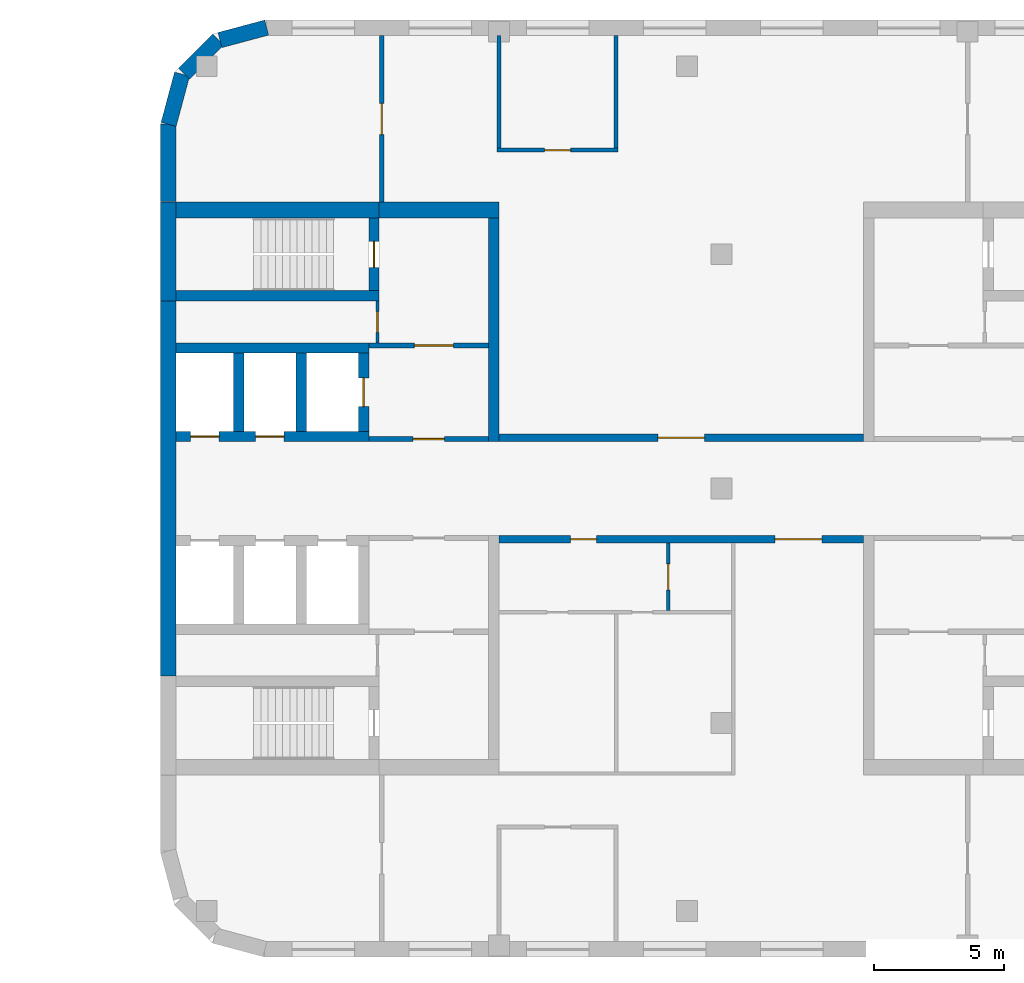
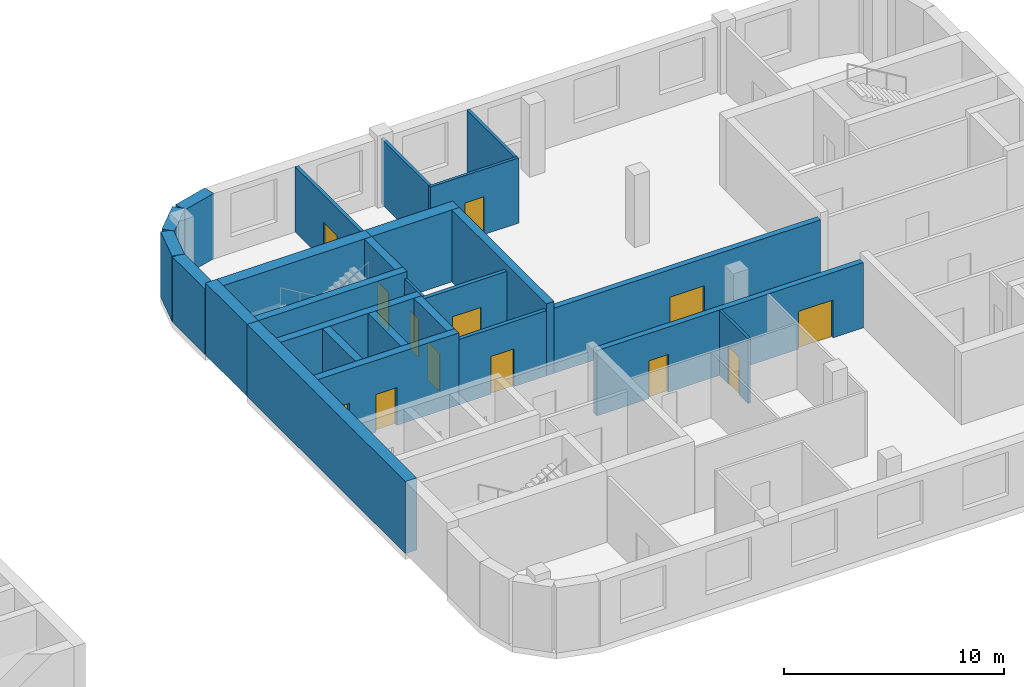
# One storey, part 8 of 16: 26 walls, 13 doors, 13 openings.
"""IFC4 building model written with IfcOpenShell, lengths in metres."""

from ifc_helpers import new_model, si_unit, direction, frame, frame_2d, origin, place, context, subcontext, project, spatial, rectangle, extrude, material, layer, layer_set, type_object, element, fill, save


model = new_model("IFC4")

# Units and contexts
model_context = context("Model", 3, precision=1e-05, world=origin(), true_north=direction((0.0, 1.0)))
body_context = subcontext(model_context, "Body", "Model", "MODEL_VIEW")
ifc_project = project(units=[si_unit("LENGTHUNIT", "METRE"), si_unit("AREAUNIT", "SQUARE_METRE"), si_unit("VOLUMEUNIT", "CUBIC_METRE"), si_unit("PLANEANGLEUNIT", "RADIAN"), si_unit("MASSUNIT", "GRAM", prefix="KILO")], contexts=[model_context])

# Site, building, storey
site_placement = place(None, origin())
site = spatial("IfcSite", under=ifc_project, at=site_placement, CompositionType="ELEMENT")
building_placement = place(site_placement, origin())
building = spatial("IfcBuilding", under=site, at=building_placement, Name="Skarvind Civic Tower", CompositionType="ELEMENT")
storey_placement = place(building_placement, frame((0.0, 0.0, 43.5)))
storey = spatial("IfcBuildingStorey", under=building, at=storey_placement, Name="L09", CompositionType="ELEMENT", Elevation=43.5)

# Wall, opening, door
ifc_material_1 = material(Name="Acoustic gypsum board on steel studs", Category="steel")
ifc_layer_1 = layer(ifc_material_1, 0.175048828125)
ifc_layer_set_1 = layer_set([ifc_layer_1], Name="ACOUSTIC MEETING-ROOM PARTITION 175")
wall_type_1 = type_object("IfcWallType", Name="ACOUSTIC MEETING-ROOM PARTITION 175", PredefinedType="PARTITIONING", material=ifc_layer_set_1)
wall_1_placement = place(storey_placement, frame((135.5, 145.39990234375, 0.0), z_axis=(0.0, 0.0, 1.0), x_axis=(0.0, -1.0, 0.0)))
wall_1 = element("IfcWall", 1, at=wall_1_placement, inside=storey, type_object=wall_type_1, Name="Partition 09.002", PredefinedType="PARTITIONING", context=body_context, shape_type="SweptSolid", body=[
    extrude(rectangle(XDim=6.39990234375, YDim=0.175048828125, at=frame_2d((3.199951171875, 0.0))), origin(), (0.0, 0.0, 1.0), 3.625),
])
opening_1_placement = place(wall_1_placement, frame((2.60009765625, 0.0, 0.0)))
opening_1 = element("IfcOpeningElement", 2, at=opening_1_placement, cuts=wall_1, Name="Opening L09-D103", PredefinedType="OPENING", context=body_context, shape_type="SweptSolid", body=[
    extrude(rectangle(XDim=1.199951171875, YDim=2.10009765625, at=frame_2d((0.60009765625, 1.050048828125))), frame((0.0, 0.097412109375, 0.0), z_axis=(0.0, -1.0, 0.0), x_axis=(1.0, 0.0, 0.0)), (0.0, 0.0, 1.0), 0.195068359375),
])
ifc_material_2 = material(Name="Timber door leaf", Category="wood")
door_type_1 = type_object("IfcDoorType", Name="DOOR 1200X2100 DOUBLE TIMBER", OperationType="NOTDEFINED", PredefinedType="DOOR", material=ifc_material_2)
door_1_placement = place(opening_1_placement, origin())
door_1 = element("IfcDoor", 3, at=door_1_placement, inside=storey, type_object=door_type_1, Name="Door L09-D103", OperationType="DOUBLE_DOOR_SINGLE_SWING", OverallHeight=2.10009765625, OverallWidth=1.199951171875, PredefinedType="DOOR", context=body_context, shape_type="SweptSolid", body=[
    extrude(rectangle(XDim=1.199951171875, YDim=2.10009765625, at=frame_2d((0.60009765625, 1.050048828125))), frame((0.0, 0.02490234375, 0.0), z_axis=(0.0, -1.0, 0.0), x_axis=(1.0, 0.0, 0.0)), (0.0, 0.0, 1.0), 0.050048828125),
])
fill(opening_1, door_1)

ifc_material_3 = material(Name="Fire-rated gypsum board on steel studs", Category="steel")
ifc_layer_2 = layer(ifc_material_3, 0.300048828125)
ifc_layer_set_2 = layer_set([ifc_layer_2], Name="CORRIDOR WALL 300")
wall_type_2 = type_object("IfcWallType", Name="CORRIDOR WALL 300", PredefinedType="PARTITIONING", material=ifc_layer_set_2)
wall_2_placement = place(storey_placement, frame((140.0, 129.949951171875, 0.0), z_axis=(0.0, 0.0, 1.0), x_axis=(1.0, 0.0, 0.0)))
wall_2 = element("IfcWall", 4, at=wall_2_placement, inside=storey, type_object=wall_type_2, Name="Partition 09.007", PredefinedType="PARTITIONING", context=body_context, shape_type="SweptSolid", body=[
    extrude(rectangle(XDim=14.0, YDim=0.300048828125, at=frame_2d((7.0, 0.0))), origin(), (0.0, 0.0, 1.0), 3.625),
])
opening_2_placement = place(wall_2_placement, frame((6.10009765625, 0.0, 0.0)))
opening_2 = element("IfcOpeningElement", 5, at=opening_2_placement, cuts=wall_2, Name="Opening L09-D101", PredefinedType="OPENING", context=body_context, shape_type="SweptSolid", body=[
    extrude(rectangle(XDim=1.800048828125, YDim=2.10009765625, at=frame_2d((0.89990234375, 1.050048828125))), frame((0.0, 0.159912109375, 0.0), z_axis=(0.0, -1.0, 0.0), x_axis=(1.0, 0.0, 0.0)), (0.0, 0.0, 1.0), 0.320068359375),
])
ifc_material_4 = material(Name="Fire-rated timber door leaf", Category="wood")
door_type_2 = type_object("IfcDoorType", Name="FD4 1800x2100", OperationType="NOTDEFINED", PredefinedType="DOOR", material=ifc_material_4)
door_2_placement = place(opening_2_placement, origin())
door_2 = element("IfcDoor", 6, at=door_2_placement, inside=storey, type_object=door_type_2, Name="Door L09-D101", OperationType="DOUBLE_DOOR_SINGLE_SWING", OverallHeight=2.10009765625, OverallWidth=1.800048828125, PredefinedType="DOOR", context=body_context, shape_type="SweptSolid", body=[
    extrude(rectangle(XDim=1.800048828125, YDim=2.10009765625, at=frame_2d((0.89990234375, 1.050048828125))), frame((0.0, 0.02490234375, 0.0), z_axis=(0.0, -1.0, 0.0), x_axis=(1.0, 0.0, 0.0)), (0.0, 0.0, 1.0), 0.050048828125),
])
fill(opening_2, door_2)

# Wall, openings, doors
wall_3_placement = place(storey_placement, frame((154.0, 126.050048828125, 0.0), z_axis=(0.0, 0.0, 1.0), x_axis=(-1.0, 0.0, 0.0)))
wall_3 = element("IfcWall", 7, at=wall_3_placement, inside=storey, type_object=wall_type_2, Name="Partition 09.015", PredefinedType="PARTITIONING", context=body_context, shape_type="SweptSolid", body=[
    extrude(rectangle(XDim=14.0, YDim=0.300048828125, at=frame_2d((7.0, 0.0))), origin(), (0.0, 0.0, 1.0), 3.625),
])
opening_3_placement = place(wall_3_placement, frame((10.25, 0.0, 0.0)))
opening_3 = element("IfcOpeningElement", 8, at=opening_3_placement, cuts=wall_3, Name="Opening L09-D105", PredefinedType="OPENING", context=body_context, shape_type="SweptSolid", body=[
    extrude(rectangle(XDim=1.0, YDim=2.10009765625, at=frame_2d((0.5, 1.050048828125))), frame((0.0, 0.159912109375, 0.0), z_axis=(0.0, -1.0, 0.0), x_axis=(1.0, 0.0, 0.0)), (0.0, 0.0, 1.0), 0.320068359375),
])
opening_4_placement = place(wall_3_placement, frame((1.60009765625, 0.0, 0.0)))
opening_4 = element("IfcOpeningElement", 9, at=opening_4_placement, cuts=wall_3, Name="Opening L09-D109", PredefinedType="OPENING", context=body_context, shape_type="SweptSolid", body=[
    extrude(rectangle(XDim=1.800048828125, YDim=2.10009765625, at=frame_2d((0.89990234375, 1.050048828125))), frame((0.0, 0.159912109375, 0.0), z_axis=(0.0, -1.0, 0.0), x_axis=(1.0, 0.0, 0.0)), (0.0, 0.0, 1.0), 0.320068359375),
])
door_type_3 = type_object("IfcDoorType", Name="FD1 1000x2100", OperationType="NOTDEFINED", PredefinedType="DOOR", material=ifc_material_4)
door_3_placement = place(opening_3_placement, origin())
door_3 = element("IfcDoor", 10, at=door_3_placement, inside=storey, type_object=door_type_3, Name="Door L09-D105", OperationType="SINGLE_SWING_RIGHT", OverallHeight=2.10009765625, OverallWidth=1.0, PredefinedType="DOOR", context=body_context, shape_type="SweptSolid", body=[
    extrude(rectangle(XDim=1.0, YDim=2.10009765625, at=frame_2d((0.5, 1.050048828125))), frame((0.0, 0.02490234375, 0.0), z_axis=(0.0, -1.0, 0.0), x_axis=(1.0, 0.0, 0.0)), (0.0, 0.0, 1.0), 0.050048828125),
])
fill(opening_3, door_3)
door_4_placement = place(opening_4_placement, origin())
door_4 = element("IfcDoor", 11, at=door_4_placement, inside=storey, type_object=door_type_2, Name="Door L09-D109", OperationType="DOUBLE_DOOR_SINGLE_SWING", OverallHeight=2.10009765625, OverallWidth=1.800048828125, PredefinedType="DOOR", context=body_context, shape_type="SweptSolid", body=[
    extrude(rectangle(XDim=1.800048828125, YDim=2.10009765625, at=frame_2d((0.89990234375, 1.050048828125))), frame((0.0, 0.02490234375, 0.0), z_axis=(0.0, -1.0, 0.0), x_axis=(1.0, 0.0, 0.0)), (0.0, 0.0, 1.0), 0.050048828125),
])
fill(opening_4, door_4)

# Wall, opening, door
ifc_material_5 = material(Name="Fire-rated masonry partition", Category="masonry")
ifc_layer_3 = layer(ifc_material_5, 0.199951171875)
ifc_layer_set_3 = layer_set([ifc_layer_3], Name="Core enclosure wall 200")
wall_type_3 = type_object("IfcWallType", Name="Core enclosure wall 200", PredefinedType="PARTITIONING", material=ifc_layer_set_3)
wall_4_placement = place(storey_placement, frame((135.0, 129.89990234375, 0.0), z_axis=(0.0, 0.0, 1.0), x_axis=(1.0, 0.0, 0.0)))
wall_4 = element("IfcWall", 12, at=wall_4_placement, inside=storey, type_object=wall_type_3, Name="Core wall CA", PredefinedType="PARTITIONING", context=body_context, shape_type="SweptSolid", body=[
    extrude(rectangle(XDim=4.60009765625, YDim=0.199951171875, at=frame_2d((2.300048828125, 0.0))), origin(), (0.0, 0.0, 1.0), 3.625),
])
opening_5_placement = place(wall_4_placement, frame((1.699951171875, 0.0, 0.0)))
opening_5 = element("IfcOpeningElement", 13, at=opening_5_placement, cuts=wall_4, Name="Opening D-L09-CA-06", PredefinedType="OPENING", context=body_context, shape_type="SweptSolid", body=[
    extrude(rectangle(XDim=1.199951171875, YDim=2.10009765625, at=frame_2d((0.60009765625, 1.050048828125))), frame((0.0, 0.10986328125, 0.0), z_axis=(0.0, -1.0, 0.0), x_axis=(1.0, 0.0, 0.0)), (0.0, 0.0, 1.0), 0.219970703125),
])
ifc_material_6 = material(Name="Fire-rated steel door", Category="steel")
door_type_4 = type_object("IfcDoorType", Name="Core lobby door 1200", OperationType="NOTDEFINED", PredefinedType="DOOR", material=ifc_material_6)
door_5_placement = place(opening_5_placement, origin())
door_5 = element("IfcDoor", 14, at=door_5_placement, inside=storey, type_object=door_type_4, Name="Fire door", OperationType="DOUBLE_DOOR_SINGLE_SWING", OverallHeight=2.10009765625, OverallWidth=1.199951171875, PredefinedType="DOOR", context=body_context, shape_type="SweptSolid", body=[
    extrude(rectangle(XDim=1.199951171875, YDim=2.10009765625, at=frame_2d((0.60009765625, 1.050048828125))), frame((0.0, 0.02490234375, 0.0), z_axis=(0.0, -1.0, 0.0), x_axis=(1.0, 0.0, 0.0)), (0.0, 0.0, 1.0), 0.050048828125),
])
fill(opening_5, door_5)

wall_5_placement = place(storey_placement, frame((135.0, 133.5, 0.0), z_axis=(0.0, 0.0, 1.0), x_axis=(1.0, 0.0, 0.0)))
wall_5 = element("IfcWall", 15, at=wall_5_placement, inside=storey, type_object=wall_type_3, Name="Core wall CA", PredefinedType="PARTITIONING", context=body_context, shape_type="SweptSolid", body=[
    extrude(rectangle(XDim=4.60009765625, YDim=0.199951171875, at=frame_2d((2.300048828125, 0.0))), origin(), (0.0, 0.0, 1.0), 3.625),
])
opening_6_placement = place(wall_5_placement, frame((1.75, 0.0, 0.0)))
opening_6 = element("IfcOpeningElement", 16, at=opening_6_placement, cuts=wall_5, Name="Opening D-L09-CA-07", PredefinedType="OPENING", context=body_context, shape_type="SweptSolid", body=[
    extrude(rectangle(XDim=1.5, YDim=2.10009765625, at=frame_2d((0.75, 1.050048828125))), frame((0.0, 0.10986328125, 0.0), z_axis=(0.0, -1.0, 0.0), x_axis=(1.0, 0.0, 0.0)), (0.0, 0.0, 1.0), 0.219970703125),
])
door_type_5 = type_object("IfcDoorType", Name="Fire door 1500", OperationType="NOTDEFINED", PredefinedType="DOOR", material=ifc_material_6)
door_6_placement = place(opening_6_placement, origin())
door_6 = element("IfcDoor", 17, at=door_6_placement, inside=storey, type_object=door_type_5, Name="Fire door", OperationType="DOUBLE_DOOR_SINGLE_SWING", OverallHeight=2.10009765625, OverallWidth=1.5, PredefinedType="DOOR", context=body_context, shape_type="SweptSolid", body=[
    extrude(rectangle(XDim=1.5, YDim=2.10009765625, at=frame_2d((0.75, 1.050048828125))), frame((0.0, 0.02490234375, 0.0), z_axis=(0.0, -1.0, 0.0), x_axis=(1.0, 0.0, 0.0)), (0.0, 0.0, 1.0), 0.050048828125),
])
fill(opening_6, door_6)

# Wall
ifc_material_7 = material(Name="Concrete C80", Category="concrete")
ifc_layer_4 = layer(ifc_material_7, 0.39990234375)
ifc_layer_set_4 = layer_set([ifc_layer_4], Name="Core wall 400 C80")
wall_type_4 = type_object("IfcWallType", Name="Core wall 400 C80", PredefinedType="SHEAR", material=ifc_layer_set_4)
wall_6_placement = place(storey_placement, frame((127.60009765625, 135.39990234375, 0.0), z_axis=(0.0, 0.0, 1.0), x_axis=(1.0, 0.0, 0.0)))
element("IfcWall", 18, at=wall_6_placement, inside=storey, type_object=wall_type_4, Name="Core wall CA north stair inner L09", PredefinedType="SHEAR", context=body_context, shape_type="SweptSolid", body=[
    extrude(rectangle(XDim=7.7998046875, YDim=0.39990234375, at=frame_2d((3.89990234375, 0.0))), origin(), (0.0, 0.0, 1.0), 4.0),
])

# Wall, opening, door
wall_7_placement = place(storey_placement, frame((135.199951171875, 135.60009765625, 0.0), z_axis=(0.0, 0.0, 1.0), x_axis=(0.0, 1.0, 0.0)))
wall_7 = element("IfcWall", 19, at=wall_7_placement, inside=storey, type_object=wall_type_4, Name="Core wall CA north stair end L09", PredefinedType="SHEAR", context=body_context, shape_type="SweptSolid", body=[
    extrude(rectangle(XDim=2.7998046875, YDim=0.39990234375, at=frame_2d((1.39990234375, 0.0))), origin(), (0.0, 0.0, 1.0), 4.0),
])
opening_7_placement = place(wall_7_placement, frame((0.89990234375, 0.0, 0.0)))
opening_7 = element("IfcOpeningElement", 20, at=opening_7_placement, cuts=wall_7, Name="Opening D-L09-CA-08", PredefinedType="OPENING", context=body_context, shape_type="SweptSolid", body=[
    extrude(rectangle(XDim=1.0, YDim=2.10009765625, at=frame_2d((0.5, 1.050048828125))), frame((0.0, 0.2099609375, 0.0), z_axis=(0.0, -1.0, 0.0), x_axis=(1.0, 0.0, 0.0)), (0.0, 0.0, 1.0), 0.419921875),
])
door_type_6 = type_object("IfcDoorType", Name="Fire door 1000", OperationType="NOTDEFINED", PredefinedType="DOOR", material=ifc_material_6)
door_7_placement = place(opening_7_placement, origin())
door_7 = element("IfcDoor", 21, at=door_7_placement, inside=storey, type_object=door_type_6, Name="Fire door", OperationType="SINGLE_SWING_LEFT", OverallHeight=2.10009765625, OverallWidth=1.0, PredefinedType="DOOR", context=body_context, shape_type="SweptSolid", body=[
    extrude(rectangle(XDim=1.0, YDim=2.10009765625, at=frame_2d((0.5, 1.050048828125))), frame((0.0, 0.02490234375, 0.0), z_axis=(0.0, -1.0, 0.0), x_axis=(1.0, 0.0, 0.0)), (0.0, 0.0, 1.0), 0.050048828125),
])
fill(opening_7, door_7)

# Wall, openings, doors
wall_8_placement = place(storey_placement, frame((127.60009765625, 130.0, 0.0), z_axis=(0.0, 0.0, 1.0), x_axis=(1.0, 0.0, 0.0)))
wall_8 = element("IfcWall", 22, at=wall_8_placement, inside=storey, type_object=wall_type_4, Name="Core wall CA north lift row front L09", PredefinedType="SHEAR", context=body_context, shape_type="SweptSolid", body=[
    extrude(rectangle(XDim=7.39990234375, YDim=0.39990234375, at=frame_2d((3.699951171875, 0.0))), origin(), (0.0, 0.0, 1.0), 4.0),
])
opening_8_placement = place(wall_8_placement, frame((0.550048828125, 0.0, 0.0)))
opening_8 = element("IfcOpeningElement", 23, at=opening_8_placement, cuts=wall_8, Name="Opening LD11301", PredefinedType="OPENING", context=body_context, shape_type="SweptSolid", body=[
    extrude(rectangle(XDim=1.10009765625, YDim=2.10009765625, at=frame_2d((0.550048828125, 1.050048828125))), frame((0.0, 0.2099609375, 0.0), z_axis=(0.0, -1.0, 0.0), x_axis=(1.0, 0.0, 0.0)), (0.0, 0.0, 1.0), 0.419921875),
])
opening_9_placement = place(wall_8_placement, frame((3.050048828125, 0.0, 0.0)))
opening_9 = element("IfcOpeningElement", 24, at=opening_9_placement, cuts=wall_8, Name="Opening LD11302", PredefinedType="OPENING", context=body_context, shape_type="SweptSolid", body=[
    extrude(rectangle(XDim=1.10009765625, YDim=2.10009765625, at=frame_2d((0.550048828125, 1.050048828125))), frame((0.0, 0.2099609375, 0.0), z_axis=(0.0, -1.0, 0.0), x_axis=(1.0, 0.0, 0.0)), (0.0, 0.0, 1.0), 0.419921875),
])
ifc_material_8 = material(Name="Stainless steel landing door", Category="steel")
door_type_7 = type_object("IfcDoorType", Name="Lift landing door 1100", OperationType="DOUBLE_DOOR_SLIDING", PredefinedType="DOOR", material=ifc_material_8)
door_8_placement = place(opening_8_placement, origin())
door_8 = element("IfcDoor", 25, at=door_8_placement, inside=storey, type_object=door_type_7, Name="Lift landing door", OperationType="DOUBLE_DOOR_SLIDING", OverallHeight=2.10009765625, OverallWidth=1.10009765625, PredefinedType="DOOR", context=body_context, shape_type="SweptSolid", body=[
    extrude(rectangle(XDim=1.10009765625, YDim=2.10009765625, at=frame_2d((0.550048828125, 1.050048828125))), frame((0.0, 0.02490234375, 0.0), z_axis=(0.0, -1.0, 0.0), x_axis=(1.0, 0.0, 0.0)), (0.0, 0.0, 1.0), 0.050048828125),
])
fill(opening_8, door_8)
door_9_placement = place(opening_9_placement, origin())
door_9 = element("IfcDoor", 26, at=door_9_placement, inside=storey, type_object=door_type_7, Name="Lift landing door", OperationType="DOUBLE_DOOR_SLIDING", OverallHeight=2.10009765625, OverallWidth=1.10009765625, PredefinedType="DOOR", context=body_context, shape_type="SweptSolid", body=[
    extrude(rectangle(XDim=1.10009765625, YDim=2.10009765625, at=frame_2d((0.550048828125, 1.050048828125))), frame((0.0, 0.02490234375, 0.0), z_axis=(0.0, -1.0, 0.0), x_axis=(1.0, 0.0, 0.0)), (0.0, 0.0, 1.0), 0.050048828125),
])
fill(opening_9, door_9)

# Walls
wall_9_placement = place(storey_placement, frame((127.60009765625, 133.39990234375, 0.0), z_axis=(0.0, 0.0, 1.0), x_axis=(1.0, 0.0, 0.0)))
element("IfcWall", 27, at=wall_9_placement, inside=storey, type_object=wall_type_4, Name="Core wall CA north lift row back L09", PredefinedType="SHEAR", context=body_context, shape_type="SweptSolid", body=[
    extrude(rectangle(XDim=7.39990234375, YDim=0.39990234375, at=frame_2d((3.699951171875, 0.0))), origin(), (0.0, 0.0, 1.0), 4.0),
])
for number, where, z_axis, x_axis, name in (
    (28, (130.0, 130.199951171875, 0.0), (0.0, 0.0, 1.0), (0.0, 1.0, 0.0), "Core wall CA north lift row division 1 L09"),
    (29, (132.39990234375, 130.199951171875, 0.0), (0.0, 0.0, 1.0), (0.0, 1.0, 0.0), "Core wall CA north lift row division 2 L09"),
):
    element("IfcWall", number, at=place(storey_placement, frame(where, z_axis=z_axis, x_axis=x_axis)), inside=storey, type_object=wall_type_4, Name=name, PredefinedType="SHEAR", context=body_context, shape_type="SweptSolid", body=[
        extrude(rectangle(XDim=3.0, YDim=0.39990234375, at=frame_2d((1.5, 0.0))), origin(), (0.0, 0.0, 1.0), 4.0),
    ])

# Wall, opening, door
wall_10_placement = place(storey_placement, frame((134.800048828125, 130.199951171875, 0.0), z_axis=(0.0, 0.0, 1.0), x_axis=(0.0, 1.0, 0.0)))
wall_10 = element("IfcWall", 30, at=wall_10_placement, inside=storey, type_object=wall_type_4, Name="Core wall CA north lift row division 3 L09", PredefinedType="SHEAR", context=body_context, shape_type="SweptSolid", body=[
    extrude(rectangle(XDim=3.0, YDim=0.39990234375, at=frame_2d((1.5, 0.0))), origin(), (0.0, 0.0, 1.0), 4.0),
])
opening_10_placement = place(wall_10_placement, frame((0.949951171875, 0.0, 0.0)))
opening_10 = element("IfcOpeningElement", 31, at=opening_10_placement, cuts=wall_10, Name="Opening LD11303", PredefinedType="OPENING", context=body_context, shape_type="SweptSolid", body=[
    extrude(rectangle(XDim=1.10009765625, YDim=2.10009765625, at=frame_2d((0.550048828125, 1.050048828125))), frame((0.0, 0.2099609375, 0.0), z_axis=(0.0, -1.0, 0.0), x_axis=(1.0, 0.0, 0.0)), (0.0, 0.0, 1.0), 0.419921875),
])
door_10_placement = place(opening_10_placement, origin())
door_10 = element("IfcDoor", 32, at=door_10_placement, inside=storey, type_object=door_type_7, Name="Lift landing door", OperationType="DOUBLE_DOOR_SLIDING", OverallHeight=2.10009765625, OverallWidth=1.10009765625, PredefinedType="DOOR", context=body_context, shape_type="SweptSolid", body=[
    extrude(rectangle(XDim=1.10009765625, YDim=2.10009765625, at=frame_2d((0.550048828125, 1.050048828125))), frame((0.0, 0.02490234375, 0.0), z_axis=(0.0, -1.0, 0.0), x_axis=(1.0, 0.0, 0.0)), (0.0, 0.0, 1.0), 0.050048828125),
])
fill(opening_10, door_10)

# Walls
wall_11_placement = place(storey_placement, frame((139.800048828125, 129.800048828125, 0.0), z_axis=(0.0, 0.0, 1.0), x_axis=(0.0, 1.0, 0.0)))
element("IfcWall", 33, at=wall_11_placement, inside=storey, type_object=wall_type_4, Name="Core wall CA north inner face L09", PredefinedType="SHEAR", context=body_context, shape_type="SweptSolid", body=[
    extrude(rectangle(XDim=8.599853515625, YDim=0.39990234375, at=frame_2d((4.2998046875, 0.0))), origin(), (0.0, 0.0, 1.0), 4.0),
])
ifc_layer_5 = layer(ifc_material_7, 0.60009765625)
ifc_layer_set_5 = layer_set([ifc_layer_5], Name="Core wall 600 C80")
wall_type_5 = type_object("IfcWallType", Name="Core wall 600 C80", PredefinedType="SHEAR", material=ifc_layer_set_5)
wall_12_placement = place(storey_placement, frame((127.300048828125, 120.800048828125, 0.0), z_axis=(0.0, 0.0, 1.0), x_axis=(0.0, 1.0, 0.0)))
element("IfcWall", 34, at=wall_12_placement, inside=storey, type_object=wall_type_5, Name="Core wall CA tip between the stairs L09", PredefinedType="SHEAR", context=body_context, shape_type="SweptSolid", body=[
    extrude(rectangle(XDim=14.39990234375, YDim=0.60009765625, at=frame_2d((7.199951171875, 0.0))), origin(), (0.0, 0.0, 1.0), 4.0),
])
wall_13_placement = place(storey_placement, frame((127.300048828125, 135.199951171875, 0.0), z_axis=(0.0, 0.0, 1.0), x_axis=(0.0, 1.0, 0.0)))
element("IfcWall", 35, at=wall_13_placement, inside=storey, type_object=wall_type_5, Name="Core wall CA tip at the north stair L09", PredefinedType="SHEAR", context=body_context, shape_type="SweptSolid", body=[
    extrude(rectangle(XDim=3.800048828125, YDim=0.60009765625, at=frame_2d((1.89990234375, 0.0))), origin(), (0.0, 0.0, 1.0), 4.0),
])
wall_14_placement = place(storey_placement, frame((127.60009765625, 138.699951171875, 0.0), z_axis=(0.0, 0.0, 1.0), x_axis=(1.0, 0.0, 0.0)))
element("IfcWall", 36, at=wall_14_placement, inside=storey, type_object=wall_type_5, Name="Core wall CA north side at the stair L09", PredefinedType="SHEAR", context=body_context, shape_type="SweptSolid", body=[
    extrude(rectangle(XDim=7.7998046875, YDim=0.60009765625, at=frame_2d((3.89990234375, 0.0))), origin(), (0.0, 0.0, 1.0), 4.0),
])
wall_15_placement = place(storey_placement, frame((135.39990234375, 138.699951171875, 0.0), z_axis=(0.0, 0.0, 1.0), x_axis=(1.0, 0.0, 0.0)))
element("IfcWall", 37, at=wall_15_placement, inside=storey, type_object=wall_type_5, Name="Core wall CA north side L09", PredefinedType="SHEAR", context=body_context, shape_type="SweptSolid", body=[
    extrude(rectangle(XDim=4.60009765625, YDim=0.60009765625, at=frame_2d((2.300048828125, 0.0))), origin(), (0.0, 0.0, 1.0), 4.0),
])
ifc_material_9 = material(Name="Plasterboard partition on steel studs", Category="steel")
ifc_layer_6 = layer(ifc_material_9, 0.14990234375)
ifc_layer_set_6 = layer_set([ifc_layer_6], Name="PARTITION 150")
wall_type_6 = type_object("IfcWallType", Name="PARTITION 150", PredefinedType="PARTITIONING", material=ifc_layer_set_6)
wall_16_placement = place(storey_placement, frame((140.0, 141.074951171875, 0.0), z_axis=(0.0, 0.0, 1.0), x_axis=(0.0, 1.0, 0.0)))
element("IfcWall", 38, at=wall_16_placement, inside=storey, type_object=wall_type_6, Name="Partition 09.008", PredefinedType="PARTITIONING", context=body_context, shape_type="SweptSolid", body=[
    extrude(rectangle(XDim=4.324951171875, YDim=0.14990234375, at=frame_2d((2.16259765625, 0.0))), origin(), (0.0, 0.0, 1.0), 3.625),
])

# Wall, opening, door
wall_17_placement = place(storey_placement, frame((144.574951171875, 141.0, 0.0), z_axis=(0.0, 0.0, 1.0), x_axis=(-1.0, 0.0, 0.0)))
wall_17 = element("IfcWall", 39, at=wall_17_placement, inside=storey, type_object=wall_type_6, Name="Partition 09.011", PredefinedType="PARTITIONING", context=body_context, shape_type="SweptSolid", body=[
    extrude(rectangle(XDim=4.64990234375, YDim=0.14990234375, at=frame_2d((2.324951171875, 0.0))), origin(), (0.0, 0.0, 1.0), 3.625),
])
opening_11_placement = place(wall_17_placement, frame((1.824951171875, 0.0, 0.0)))
opening_11 = element("IfcOpeningElement", 40, at=opening_11_placement, cuts=wall_17, Name="Opening L09-D102", PredefinedType="OPENING", context=body_context, shape_type="SweptSolid", body=[
    extrude(rectangle(XDim=1.0, YDim=2.10009765625, at=frame_2d((0.5, 1.050048828125))), frame((0.0, 0.0849609375, 0.0), z_axis=(0.0, -1.0, 0.0), x_axis=(1.0, 0.0, 0.0)), (0.0, 0.0, 1.0), 0.169921875),
])
door_type_8 = type_object("IfcDoorType", Name="D1 1000x2100", OperationType="NOTDEFINED", PredefinedType="DOOR", material=ifc_material_2)
door_11_placement = place(opening_11_placement, origin())
door_11 = element("IfcDoor", 41, at=door_11_placement, inside=storey, type_object=door_type_8, Name="Door L09-D102", OperationType="SINGLE_SWING_LEFT", OverallHeight=2.10009765625, OverallWidth=1.0, PredefinedType="DOOR", context=body_context, shape_type="SweptSolid", body=[
    extrude(rectangle(XDim=1.0, YDim=2.10009765625, at=frame_2d((0.5, 1.050048828125))), frame((0.0, 0.02490234375, 0.0), z_axis=(0.0, -1.0, 0.0), x_axis=(1.0, 0.0, 0.0)), (0.0, 0.0, 1.0), 0.050048828125),
])
fill(opening_11, door_11)

# Wall
wall_18_placement = place(storey_placement, frame((144.5, 145.39990234375, 0.0), z_axis=(0.0, 0.0, 1.0), x_axis=(0.0, -1.0, 0.0)))
element("IfcWall", 42, at=wall_18_placement, inside=storey, type_object=wall_type_6, Name="Partition 09.012", PredefinedType="PARTITIONING", context=body_context, shape_type="SweptSolid", body=[
    extrude(rectangle(XDim=4.324951171875, YDim=0.14990234375, at=frame_2d((2.16259765625, 0.0))), origin(), (0.0, 0.0, 1.0), 3.625),
])

# Wall, opening, door
ifc_layer_7 = layer(ifc_material_5, 0.125)
ifc_layer_set_7 = layer_set([ifc_layer_7], Name="Riser wall 125")
wall_type_7 = type_object("IfcWallType", Name="Riser wall 125", PredefinedType="PARTITIONING", material=ifc_layer_set_7)
wall_19_placement = place(storey_placement, frame((135.33740234375, 135.199951171875, 0.0), z_axis=(0.0, 0.0, 1.0), x_axis=(0.0, -1.0, 0.0)))
wall_19 = element("IfcWall", 43, at=wall_19_placement, inside=storey, type_object=wall_type_7, Name="Core wall CA", PredefinedType="PARTITIONING", context=body_context, shape_type="SweptSolid", body=[
    extrude(rectangle(XDim=1.599853515625, YDim=0.125, at=frame_2d((0.7998046875, 0.0))), origin(), (0.0, 0.0, 1.0), 3.625),
])
opening_12_placement = place(wall_19_placement, frame((0.39990234375, 0.0, 0.0)))
opening_12 = element("IfcOpeningElement", 44, at=opening_12_placement, cuts=wall_19, Name="Opening D-L09-CA-09", PredefinedType="OPENING", context=body_context, shape_type="SweptSolid", body=[
    extrude(rectangle(XDim=0.800048828125, YDim=2.10009765625, at=frame_2d((0.39990234375, 1.050048828125))), frame((0.0, 0.072509765625, 0.0), z_axis=(0.0, -1.0, 0.0), x_axis=(1.0, 0.0, 0.0)), (0.0, 0.0, 1.0), 0.14501953125),
])
door_type_9 = type_object("IfcDoorType", Name="Core riser door 800", OperationType="NOTDEFINED", PredefinedType="DOOR", material=ifc_material_6)
door_12_placement = place(opening_12_placement, origin())
door_12 = element("IfcDoor", 45, at=door_12_placement, inside=storey, type_object=door_type_9, Name="Riser door", OperationType="SINGLE_SWING_RIGHT", OverallHeight=2.10009765625, OverallWidth=0.800048828125, PredefinedType="DOOR", context=body_context, shape_type="SweptSolid", body=[
    extrude(rectangle(XDim=0.800048828125, YDim=2.10009765625, at=frame_2d((0.39990234375, 1.050048828125))), frame((0.0, 0.02490234375, 0.0), z_axis=(0.0, -1.0, 0.0), x_axis=(1.0, 0.0, 0.0)), (0.0, 0.0, 1.0), 0.050048828125),
])
fill(opening_12, door_12)

ifc_material_10 = material(Name="Moisture-resistant gypsum board on steel studs", Category="steel")
ifc_layer_8 = layer(ifc_material_10, 0.125)
ifc_layer_set_8 = layer_set([ifc_layer_8], Name="WC PARTITION 125")
wall_type_8 = type_object("IfcWallType", Name="WC PARTITION 125", PredefinedType="PARTITIONING", material=ifc_layer_set_8)
wall_20_placement = place(storey_placement, frame((146.5, 125.89990234375, 0.0), z_axis=(0.0, 0.0, 1.0), x_axis=(0.0, -1.0, 0.0)))
wall_20 = element("IfcWall", 46, at=wall_20_placement, inside=storey, type_object=wall_type_8, Name="Partition 09.013", PredefinedType="PARTITIONING", context=body_context, shape_type="SweptSolid", body=[
    extrude(rectangle(XDim=2.587890625, YDim=0.125, at=frame_2d((1.2939453125, 0.0))), origin(), (0.0, 0.0, 1.0), 3.625),
])
opening_13_placement = place(wall_20_placement, frame((0.7939453125, 0.0, 0.0)))
opening_13 = element("IfcOpeningElement", 47, at=opening_13_placement, cuts=wall_20, Name="Opening L09-D106", PredefinedType="OPENING", context=body_context, shape_type="SweptSolid", body=[
    extrude(rectangle(XDim=1.0, YDim=2.10009765625, at=frame_2d((0.5, 1.050048828125))), frame((0.0, 0.072509765625, 0.0), z_axis=(0.0, -1.0, 0.0), x_axis=(1.0, 0.0, 0.0)), (0.0, 0.0, 1.0), 0.14501953125),
])
door_13_placement = place(opening_13_placement, origin())
door_13 = element("IfcDoor", 48, at=door_13_placement, inside=storey, type_object=door_type_8, Name="Door L09-D106", OperationType="SINGLE_SWING_RIGHT", OverallHeight=2.10009765625, OverallWidth=1.0, PredefinedType="DOOR", context=body_context, shape_type="SweptSolid", body=[
    extrude(rectangle(XDim=1.0, YDim=2.10009765625, at=frame_2d((0.5, 1.050048828125))), frame((0.0, 0.02490234375, 0.0), z_axis=(0.0, -1.0, 0.0), x_axis=(1.0, 0.0, 0.0)), (0.0, 0.0, 1.0), 0.050048828125),
])
fill(opening_13, door_13)

# Walls
ifc_material_11 = material(Name="Limestone masonry cladding on insulated backing", Category="masonry")
ifc_layer_9 = layer(ifc_material_11, 0.60009765625)
ifc_layer_set_9 = layer_set([ifc_layer_9], Name="WX1 STONE FACADE WALL 600")
wall_type_9 = type_object("IfcWallType", Name="WX1 STONE FACADE WALL 600", PredefinedType="SOLIDWALL", material=ifc_layer_set_9)
for number, where, z_axis, x_axis, name in (
    (49, (129.280517578125, 145.228759765625, 0.0), (0.0, 0.0, 1.0), (0.965938094805, 0.258773254036, 0.0), "STONE FACADE WALL"),
    (50, (127.896484375, 143.936279296875, 0.0), (0.0, 0.0, 1.0), (0.707106781187, 0.707106781187, 0.0), "STONE FACADE WALL"),
):
    element("IfcWall", number, at=place(storey_placement, frame(where, z_axis=z_axis, x_axis=x_axis)), inside=storey, type_object=wall_type_9, Name=name, PredefinedType="SOLIDWALL", context=body_context, shape_type="SweptSolid", body=[
        extrude(rectangle(XDim=1.860595703125, YDim=0.60009765625, at=frame_2d((0.93017578125, 0.0))), origin(), (0.0, 0.0, 1.0), 3.625),
    ])
wall_21_placement = place(storey_placement, frame((127.307861328125, 141.989990234375, 0.0), z_axis=(0.0, 0.0, 1.0), x_axis=(0.258839784042, 0.965920269068, 0.0)))
element("IfcWall", 51, at=wall_21_placement, inside=storey, type_object=wall_type_9, Name="STONE FACADE WALL", PredefinedType="SOLIDWALL", context=body_context, shape_type="SweptSolid", body=[
    extrude(rectangle(XDim=2.00048828125, YDim=0.60009765625, at=frame_2d((1.000244140625, 0.0))), origin(), (0.0, 0.0, 1.0), 3.625),
])
wall_22_placement = place(storey_placement, frame((127.300048828125, 139.02001953125, 0.0), z_axis=(0.0, 0.0, 1.0), x_axis=(0.0, 1.0, 0.0)))
element("IfcWall", 52, at=wall_22_placement, inside=storey, type_object=wall_type_9, Name="STONE FACADE WALL", PredefinedType="SOLIDWALL", context=body_context, shape_type="SweptSolid", body=[
    extrude(rectangle(XDim=2.97998046875, YDim=0.60009765625, at=frame_2d((1.489990234375, 0.0))), origin(), (0.0, 0.0, 1.0), 3.625),
])

save(model, "model.ifc")
